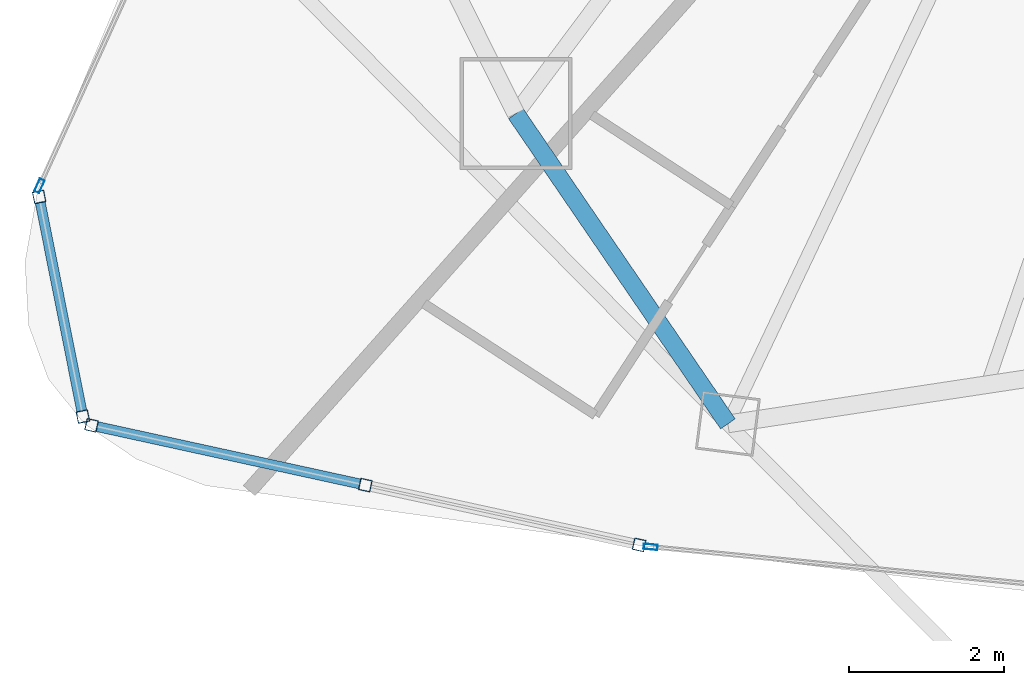
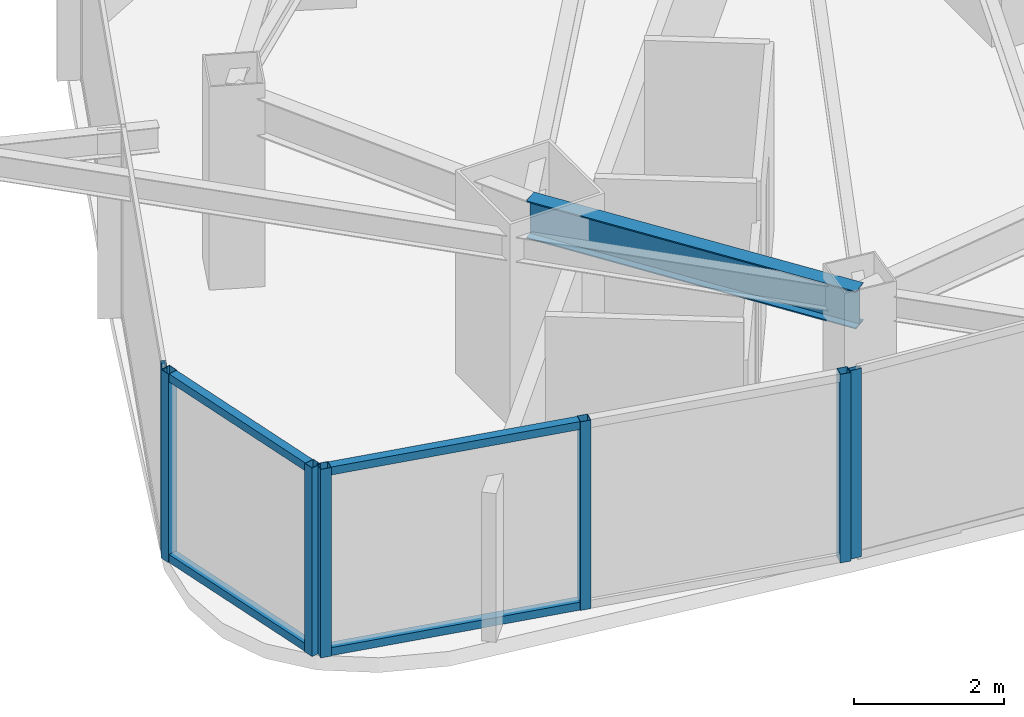
# One storey, part 2 of 31: 11 members, 1 beam, 4 elements without a shape of their own.
"""IFC4 building model written with IfcOpenShell, lengths in metres."""

from ifc_helpers import new_model, si_unit, direction, frame, origin, origin_2d, place, context, subcontext, project, spatial, hollow_rectangle, i_section, extrude, material, layer, layer_set, material_profile, profile_set, type_object, element, aggregate, save


model = new_model("IFC4")

# Units and contexts
model_context = context("Model", 3, precision=1e-05, world=origin(), true_north=direction((0.0, 1.0)))
body_context = subcontext(model_context, "Body", "Model", "MODEL_VIEW")
ifc_project = project(units=[si_unit("LENGTHUNIT", "METRE"), si_unit("AREAUNIT", "SQUARE_METRE"), si_unit("VOLUMEUNIT", "CUBIC_METRE"), si_unit("PLANEANGLEUNIT", "RADIAN"), si_unit("MASSUNIT", "GRAM", prefix="KILO")], contexts=[model_context])

# Site, building, storey
site_placement = place(None, origin())
site = spatial("IfcSite", under=ifc_project, at=site_placement, CompositionType="ELEMENT")
building_placement = place(site_placement, origin())
building = spatial("IfcBuilding", under=site, at=building_placement, Name="Orvanel Arch Residences", CompositionType="ELEMENT")
storey_placement = place(building_placement, frame((0.0, 0.0, 157.25)))
storey = spatial("IfcBuildingStorey", under=building, at=storey_placement, Name="L44", CompositionType="ELEMENT", Elevation=157.25)

# Curtain wall, members
ifc_material_1 = material(Name="Bronze-anodised aluminium AA6063-T6", Category="aluminium")
ifc_layer_1 = layer(ifc_material_1, 0.18994140625)
ifc_layer_set_1 = layer_set([ifc_layer_1], Name="Bronze-anodised aluminium AA6063-T6")
curtain_wall_type_1 = type_object("IfcCurtainWallType", Name="CW5-CRN-SYS", PredefinedType="NOTDEFINED", material=ifc_layer_set_1)
curtain_wall_1_placement = place(storey_placement, origin())
curtain_wall_1 = element("IfcCurtainWall", 1, at=curtain_wall_1_placement, inside=storey, type_object=curtain_wall_type_1, Name="L44 CW5-CRN-SYS Unitised Curtain Wall", PredefinedType="NOTDEFINED")
ifc_material_profile_1 = material_profile(ifc_material_1, hollow_rectangle(XDim=0.14990234375, YDim=0.14990234375, WallThickness=0.0048828125, at=origin_2d()), Name="ALU150x150x5")
ifc_profile_set_1 = profile_set([ifc_material_profile_1], Name="Bronze-anodised aluminium AA6063-T6")
member_type_1 = type_object("IfcMemberType", Name="MUL-150x150", PredefinedType="MULLION", material=ifc_profile_set_1)
member_1_placement = place(storey_placement, frame((8.03466796875, 9.2734375, 0.0), z_axis=(0.0, 0.0, 1.0), x_axis=(0.980731921459, 0.195358384081, 0.0)))
member_1 = element("IfcMember", 2, at=member_1_placement, type_object=member_type_1, Name="CW-S5 mullion 1", PredefinedType="MULLION", context=body_context, shape_type="SweptSolid", body=[
    extrude(hollow_rectangle(XDim=0.14990234375, YDim=0.14990234375, WallThickness=0.0048828125, at=origin_2d()), origin(), (0.0, 0.0, 1.0), 3.06005859375),
])
member_2_placement = place(storey_placement, frame((8.600341796875, 6.43359375, 0.0), z_axis=(0.0, 0.0, 1.0), x_axis=(0.980731921459, 0.195358384081, 0.0)))
member_2 = element("IfcMember", 3, at=member_2_placement, type_object=member_type_1, Name="CW-S5 mullion 2", PredefinedType="MULLION", context=body_context, shape_type="SweptSolid", body=[
    extrude(hollow_rectangle(XDim=0.14990234375, YDim=0.14990234375, WallThickness=0.0048828125, at=origin_2d()), origin(), (0.0, 0.0, 1.0), 3.06005859375),
])

curtain_wall_2_placement = place(storey_placement, origin())
curtain_wall_2 = element("IfcCurtainWall", 4, at=curtain_wall_2_placement, inside=storey, type_object=curtain_wall_type_1, Name="L44 CW5-CRN-SYS Unitised Curtain Wall", PredefinedType="NOTDEFINED")
member_3_placement = place(storey_placement, frame((8.712158203125, 6.320068359375, 0.0), z_axis=(0.0, 0.0, 1.0), x_axis=(0.213293752637, 0.976988114097, 0.0)))
member_3 = element("IfcMember", 5, at=member_3_placement, type_object=member_type_1, Name="CW-S5 mullion 1", PredefinedType="MULLION", context=body_context, shape_type="SweptSolid", body=[
    extrude(hollow_rectangle(XDim=0.14990234375, YDim=0.14990234375, WallThickness=0.0048828125, at=origin_2d()), origin(), (0.0, 0.0, 1.0), 3.06005859375),
])
member_4_placement = place(storey_placement, frame((12.2529296875, 5.547119140625, 0.0), z_axis=(0.0, 0.0, 1.0), x_axis=(0.213293752637, 0.976988114097, 0.0)))
member_4 = element("IfcMember", 6, at=member_4_placement, type_object=member_type_1, Name="CW-S5 mullion 2", PredefinedType="MULLION", context=body_context, shape_type="SweptSolid", body=[
    extrude(hollow_rectangle(XDim=0.14990234375, YDim=0.14990234375, WallThickness=0.0048828125, at=origin_2d()), origin(), (0.0, 0.0, 1.0), 3.06005859375),
])
member_5_placement = place(storey_placement, frame((15.793701171875, 4.77392578125, 0.0), z_axis=(0.0, 0.0, 1.0), x_axis=(0.213293752637, 0.976988114097, 0.0)))
member_5 = element("IfcMember", 7, at=member_5_placement, type_object=member_type_1, Name="CW-S5 mullion 3", PredefinedType="MULLION", context=body_context, shape_type="SweptSolid", body=[
    extrude(hollow_rectangle(XDim=0.14990234375, YDim=0.14990234375, WallThickness=0.0048828125, at=origin_2d()), origin(), (0.0, 0.0, 1.0), 3.06005859375),
])

# Curtain wall, member
ifc_layer_2 = layer(ifc_material_1, 0.179931640625)
ifc_layer_set_2 = layer_set([ifc_layer_2], Name="Bronze-anodised aluminium AA6063-T6")
curtain_wall_type_2 = type_object("IfcCurtainWallType", Name="CW3-MID-SYS", PredefinedType="NOTDEFINED", material=ifc_layer_set_2)
curtain_wall_3_placement = place(storey_placement, origin())
curtain_wall_3 = element("IfcCurtainWall", 8, at=curtain_wall_3_placement, inside=storey, type_object=curtain_wall_type_2, Name="L44 CW3-MID-SYS Unitised Curtain Wall", PredefinedType="NOTDEFINED")
ifc_material_profile_2 = material_profile(ifc_material_1, hollow_rectangle(XDim=0.070068359375, YDim=0.179931640625, WallThickness=0.00439453125, at=origin_2d()), Name="ALU180x70x4.5")
ifc_profile_set_2 = profile_set([ifc_material_profile_2], Name="Bronze-anodised aluminium AA6063-T6")
member_type_2 = type_object("IfcMemberType", Name="MUL-180x70", PredefinedType="MULLION", material=ifc_profile_set_2)
member_6_placement = place(storey_placement, frame((8.03857421875, 9.4169921875, 0.0), z_axis=(0.0, 0.0, 1.0), x_axis=(0.910648730279, -0.413181425091, 0.0)))
member_6 = element("IfcMember", 9, at=member_6_placement, type_object=member_type_2, Name="CW-S3 mullion 4", PredefinedType="MULLION", context=body_context, shape_type="SweptSolid", body=[
    extrude(hollow_rectangle(XDim=0.070068359375, YDim=0.179931640625, WallThickness=0.00439453125, at=origin_2d()), origin(), (0.0, 0.0, 1.0), 3.06005859375),
])
aggregate(curtain_wall_3, [member_6])

curtain_wall_4_placement = place(storey_placement, origin())
curtain_wall_4 = element("IfcCurtainWall", 10, at=curtain_wall_4_placement, inside=storey, type_object=curtain_wall_type_2, Name="L44 CW3-MID-SYS Unitised Curtain Wall", PredefinedType="NOTDEFINED")
member_7_placement = place(storey_placement, frame((15.94189453125, 4.74853515625, 0.0), z_axis=(0.0, 0.0, 1.0), x_axis=(0.097085158831, 0.995276078249, 0.0)))
member_7 = element("IfcMember", 11, at=member_7_placement, type_object=member_type_2, Name="CW-S3 mullion 1", PredefinedType="MULLION", context=body_context, shape_type="SweptSolid", body=[
    extrude(hollow_rectangle(XDim=0.070068359375, YDim=0.179931640625, WallThickness=0.00439453125, at=origin_2d()), origin(), (0.0, 0.0, 1.0), 3.06005859375),
])
aggregate(curtain_wall_4, [member_7])

# Beam
ifc_material_2 = material(Name="Structural steel AS/NZS 3679.1 Grade 300 (300 MPa)", Category="steel")
ifc_material_profile_3 = material_profile(ifc_material_2, i_section(OverallWidth=0.22900390625, OverallDepth=0.612060546875, WebThickness=0.011962890625, FlangeThickness=0.01953125, at=origin_2d()), Name="610UB125")
ifc_profile_set_3 = profile_set([ifc_material_profile_3], Name="Structural steel AS/NZS 3679.1 Grade 300 (300 MPa)")
beam_type = type_object("IfcBeamType", Name="SP-610UB", PredefinedType="SPANDREL", material=ifc_profile_set_3)
beam_placement = place(storey_placement, frame((14.198974609375, 10.35107421875, 2.75390625), z_axis=(0.564251579852, -0.825602903722, 0.0), x_axis=(0.825602903722, 0.564251579852, 0.0)))
element("IfcBeam", 12, at=beam_placement, inside=storey, type_object=beam_type, Name="L44 Perimeter Spandrel Beam 03", PredefinedType="SPANDREL", context=body_context, shape_type="SweptSolid", body=[
    extrude(i_section(OverallWidth=0.22900390625, OverallDepth=0.612060546875, WebThickness=0.011962890625, FlangeThickness=0.01953125, at=origin_2d()), origin(), (0.0, 0.0, 1.0), 4.859375),
])

# Member
ifc_material_profile_4 = material_profile(ifc_material_1, hollow_rectangle(XDim=0.1298828125, YDim=0.1298828125, WallThickness=0.00439453125, at=origin_2d()), Name="ALU130x130x4.5")
ifc_profile_set_4 = profile_set([ifc_material_profile_4], Name="Bronze-anodised aluminium AA6063-T6")
member_type_3 = type_object("IfcMemberType", Name="TRN-130x130", PredefinedType="USERDEFINED", material=ifc_profile_set_4)
member_8_placement = place(storey_placement, frame((8.04931640625, 9.199951171875, 0.06494140625), z_axis=(0.195346616604, -0.980734265426, 0.0), x_axis=(0.980734265426, 0.195346616604, 0.0)))
member_8 = element("IfcMember", 13, at=member_8_placement, type_object=member_type_3, Name="CW-S5 transom 1.1", ObjectType="TRANSOM", PredefinedType="USERDEFINED", context=body_context, shape_type="SweptSolid", body=[
    extrude(hollow_rectangle(XDim=0.1298828125, YDim=0.1298828125, WallThickness=0.00439453125, at=origin_2d()), origin(), (0.0, 0.0, 1.0), 2.745849609375),
])

member_9_placement = place(storey_placement, frame((8.04931640625, 9.199951171875, 2.9951171875), z_axis=(0.195346616604, -0.980734265426, 0.0), x_axis=(0.980734265426, 0.195346616604, 0.0)))
member_9 = element("IfcMember", 14, at=member_9_placement, type_object=member_type_3, Name="CW-S5 transom 1.2", ObjectType="TRANSOM", PredefinedType="USERDEFINED", context=body_context, shape_type="SweptSolid", body=[
    extrude(hollow_rectangle(XDim=0.1298828125, YDim=0.1298828125, WallThickness=0.00439453125, at=origin_2d()), origin(), (0.0, 0.0, 1.0), 2.745849609375),
])

aggregate(curtain_wall_1, [member_1, member_2, member_8, member_9])

member_10_placement = place(storey_placement, frame((8.78564453125, 6.303955078125, 0.06494140625), z_axis=(0.976988875906, -0.213290263154, 0.0), x_axis=(0.213290263154, 0.976988875906, 0.0)))
member_10 = element("IfcMember", 15, at=member_10_placement, type_object=member_type_3, Name="CW-S5 transom 1.1", ObjectType="TRANSOM", PredefinedType="USERDEFINED", context=body_context, shape_type="SweptSolid", body=[
    extrude(hollow_rectangle(XDim=0.1298828125, YDim=0.1298828125, WallThickness=0.00439453125, at=origin_2d()), origin(), (0.0, 0.0, 1.0), 3.473876953125),
])

member_11_placement = place(storey_placement, frame((8.78564453125, 6.303955078125, 2.9951171875), z_axis=(0.976988875906, -0.213290263154, 0.0), x_axis=(0.213290263154, 0.976988875906, 0.0)))
member_11 = element("IfcMember", 16, at=member_11_placement, type_object=member_type_3, Name="CW-S5 transom 1.2", ObjectType="TRANSOM", PredefinedType="USERDEFINED", context=body_context, shape_type="SweptSolid", body=[
    extrude(hollow_rectangle(XDim=0.1298828125, YDim=0.1298828125, WallThickness=0.00439453125, at=origin_2d()), origin(), (0.0, 0.0, 1.0), 3.473876953125),
])

aggregate(curtain_wall_2, [member_3, member_4, member_5, member_10, member_11])

save(model, "model.ifc")
